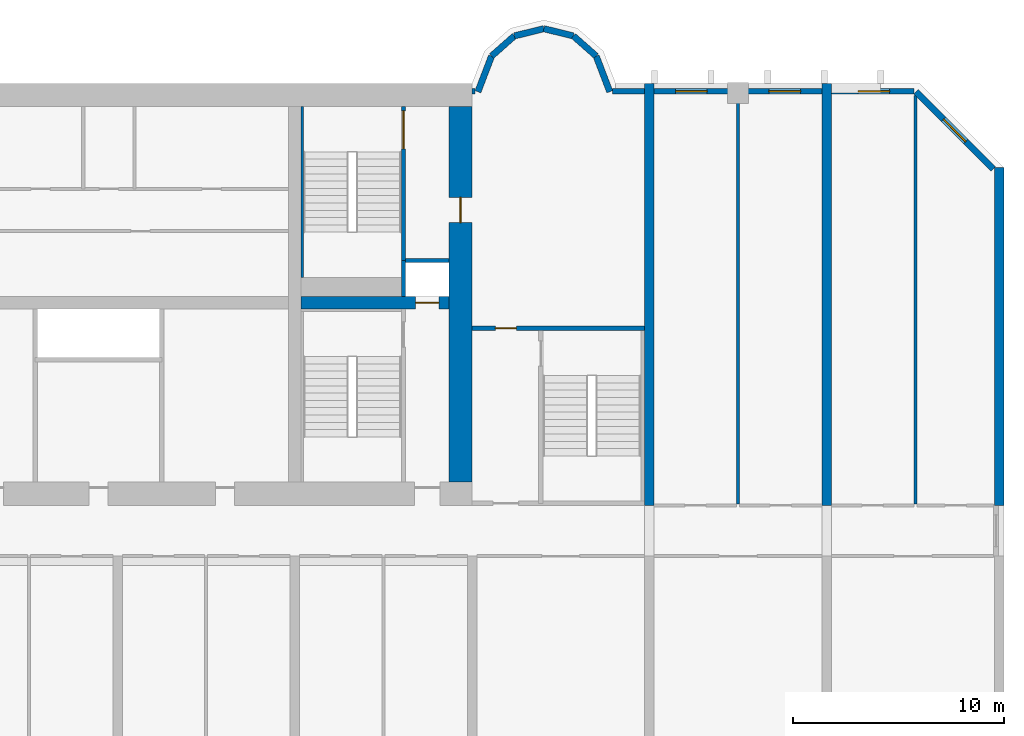
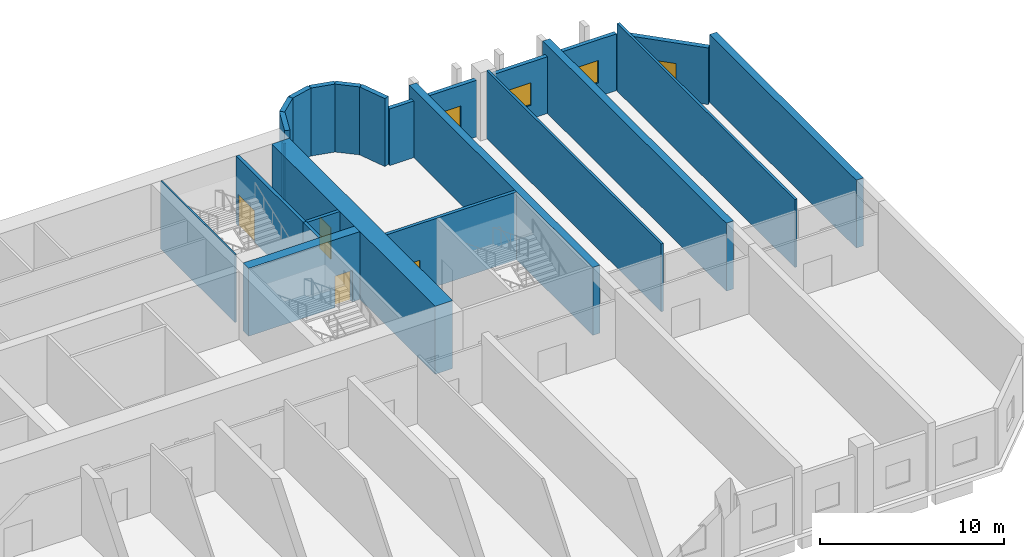
# One storey, part 8 of 10: 24 walls, 4 doors, 4 windows, 8 openings.
"""IFC4 building model written with IfcOpenShell, lengths in metres."""

from ifc_helpers import new_model, si_unit, direction, frame, frame_2d, origin, place, context, subcontext, project, spatial, rectangle, extrude, source, transform, mapped, material, layer, layer_set, type_object, element, fill, save


model = new_model("IFC4")

# Units and contexts
model_context = context("Model", 3, precision=1e-05, world=origin(), true_north=direction((0.0, 1.0)))
body_context = subcontext(model_context, "Body", "Model", "MODEL_VIEW")
ifc_project = project(units=[si_unit("LENGTHUNIT", "METRE"), si_unit("AREAUNIT", "SQUARE_METRE"), si_unit("VOLUMEUNIT", "CUBIC_METRE"), si_unit("PLANEANGLEUNIT", "RADIAN"), si_unit("MASSUNIT", "GRAM", prefix="KILO")], contexts=[model_context])

# Site, building, storey
site_placement = place(None, origin())
site = spatial("IfcSite", under=ifc_project, at=site_placement, CompositionType="ELEMENT")
building_placement = place(site_placement, origin())
building = spatial("IfcBuilding", under=site, at=building_placement, Name="Vanashikhar Sky Hotel", CompositionType="ELEMENT")
storey_placement = place(building_placement, frame((0.0, 0.0, 23.0)))
storey = spatial("IfcBuildingStorey", under=building, at=storey_placement, Name="L04", CompositionType="ELEMENT", Elevation=23.0)

# Wall, opening, door
ifc_material_1 = material(Name="Concrete M80", Category="concrete")
ifc_layer_1 = layer(ifc_material_1, 1.10009765625)
ifc_layer_set_1 = layer_set([ifc_layer_1], Name="RC core shell wall 1100 Concrete M80")
wall_type_1 = type_object("IfcWallType", Name="RC core shell wall 1100 Concrete M80", PredefinedType="SHEAR", material=ifc_layer_set_1)
shared_shape_1 = source(origin(), body_context, "Body", "SweptSolid", [
    extrude(rectangle(XDim=17.7998046875, YDim=1.10009765625, at=frame_2d((8.89990234375, 0.0))), origin(), (0.0, 0.0, 1.0), 4.52001953125),
])
wall_1_placement = place(storey_placement, frame((75.050048828125, 23.10009765625, 0.0), z_axis=(0.0, 0.0, 1.0), x_axis=(0.0, 1.0, 0.0)))
wall_1 = element("IfcWall", 1, at=wall_1_placement, inside=storey, type_object=wall_type_1, Name="KW-L04-KE", PredefinedType="SHEAR", context=body_context, shape_type="MappedRepresentation", body=[
    mapped(shared_shape_1, transform((0.0, 0.0, 0.0), scale=1.0)),
])
shared_shape_2 = source(origin(), body_context, "Body", "SweptSolid", [
    extrude(rectangle(XDim=1.199951171875, YDim=2.10009765625, at=frame_2d((0.60009765625, 1.050048828125))), frame((0.0, 0.56005859375, 0.0), z_axis=(0.0, -1.0, 0.0), x_axis=(1.0, 0.0, 0.0)), (0.0, 0.0, 1.0), 1.1201171875),
])
opening_1_placement = place(wall_1_placement, frame((12.300048828125, 0.0, 0.0)))
opening_1 = element("IfcOpeningElement", 2, at=opening_1_placement, cuts=wall_1, Name="Opening DC-4-D", PredefinedType="OPENING", context=body_context, shape_type="MappedRepresentation", body=[
    mapped(shared_shape_2, transform((0.0, 0.0, 0.0), scale=1.0)),
])
ifc_material_2 = material(Name="Steel", Category="steel")
door_type_1 = type_object("IfcDoorType", Name="Service door 1200 FD120", OperationType="NOTDEFINED", PredefinedType="DOOR", material=ifc_material_2)
shared_shape_3 = source(origin(), body_context, "Body", "SweptSolid", [
    extrude(rectangle(XDim=1.199951171875, YDim=2.10009765625, at=frame_2d((0.60009765625, 1.050048828125))), frame((0.0, 0.02490234375, 0.0), z_axis=(0.0, -1.0, 0.0), x_axis=(1.0, 0.0, 0.0)), (0.0, 0.0, 1.0), 0.050048828125),
])
door_1_placement = place(opening_1_placement, origin())
door_1 = element("IfcDoor", 3, at=door_1_placement, inside=storey, type_object=door_type_1, Name="Service door 1200 FD120", OperationType="SINGLE_SWING_RIGHT", OverallHeight=2.10009765625, OverallWidth=1.199951171875, PredefinedType="DOOR", context=body_context, shape_type="MappedRepresentation", body=[
    mapped(shared_shape_3, transform((0.0, 0.0, 0.0), scale=1.0)),
])
fill(opening_1, door_1)

ifc_layer_2 = layer(ifc_material_1, 0.60009765625)
ifc_layer_set_2 = layer_set([ifc_layer_2], Name="RC core inner wall 600 Concrete M80")
wall_type_2 = type_object("IfcWallType", Name="RC core inner wall 600 Concrete M80", PredefinedType="SHEAR", material=ifc_layer_set_2)
shared_shape_4 = source(origin(), body_context, "Body", "SweptSolid", [
    extrude(rectangle(XDim=7.0, YDim=0.60009765625, at=frame_2d((3.5, 0.0))), origin(), (0.0, 0.0, 1.0), 4.52001953125),
])
wall_2_placement = place(storey_placement, frame((67.5, 31.60009765625, 0.0), z_axis=(0.0, 0.0, 1.0), x_axis=(1.0, 0.0, 0.0)))
wall_2 = element("IfcWall", 4, at=wall_2_placement, inside=storey, type_object=wall_type_2, Name="KW-L04-KY4", PredefinedType="SHEAR", context=body_context, shape_type="MappedRepresentation", body=[
    mapped(shared_shape_4, transform((0.0, 0.0, 0.0), scale=1.0)),
])
shared_shape_5 = source(origin(), body_context, "Body", "SweptSolid", [
    extrude(rectangle(XDim=1.10009765625, YDim=2.10009765625, at=frame_2d((0.550048828125, 1.050048828125))), frame((0.0, 0.31005859375, 0.0), z_axis=(0.0, -1.0, 0.0), x_axis=(1.0, 0.0, 0.0)), (0.0, 0.0, 1.0), 0.6201171875),
])
opening_2_placement = place(wall_2_placement, frame((5.425048828125, 0.0, 0.0)))
opening_2 = element("IfcOpeningElement", 5, at=opening_2_placement, cuts=wall_2, Name="Opening LD", PredefinedType="OPENING", context=body_context, shape_type="MappedRepresentation", body=[
    mapped(shared_shape_5, transform((0.0, 0.0, 0.0), scale=1.0)),
])
ifc_material_3 = material(Name="Stainless steel", Category="steel")
door_type_2 = type_object("IfcDoorType", Name="Lift landing door 1100", OperationType="NOTDEFINED", PredefinedType="DOOR", material=ifc_material_3)
shared_shape_6 = source(origin(), body_context, "Body", "SweptSolid", [
    extrude(rectangle(XDim=1.10009765625, YDim=2.10009765625, at=frame_2d((0.550048828125, 1.050048828125))), frame((0.0, 0.02490234375, 0.0), z_axis=(0.0, -1.0, 0.0), x_axis=(1.0, 0.0, 0.0)), (0.0, 0.0, 1.0), 0.050048828125),
])
door_2_placement = place(opening_2_placement, origin())
door_2 = element("IfcDoor", 6, at=door_2_placement, inside=storey, type_object=door_type_2, Name="Lift landing door 1100", OperationType="SLIDING_TO_RIGHT", OverallHeight=2.10009765625, OverallWidth=1.10009765625, PredefinedType="DOOR", context=body_context, shape_type="MappedRepresentation", body=[
    mapped(shared_shape_6, transform((0.0, 0.0, 0.0), scale=1.0)),
])
fill(opening_2, door_2)

# Walls
ifc_layer_3 = layer(ifc_material_1, 0.449951171875)
ifc_layer_set_3 = layer_set([ifc_layer_3], Name="RC shear wall 450 Concrete M80")
wall_type_3 = type_object("IfcWallType", Name="RC shear wall 450 Concrete M80", PredefinedType="SHEAR", material=ifc_layer_set_3)
shared_shape_7 = source(origin(), body_context, "Body", "SweptSolid", [
    extrude(rectangle(XDim=16.0, YDim=0.449951171875, at=frame_2d((8.0, 0.0))), origin(), (0.0, 0.0, 1.0), 4.52001953125),
])
wall_3_placement = place(storey_placement, frame((100.574951171875, 22.0, 0.0), z_axis=(0.0, 0.0, 1.0), x_axis=(0.0, 1.0, 0.0)))
element("IfcWall", 7, at=wall_3_placement, inside=storey, type_object=wall_type_3, Name="CW-L04-XW13-2", PredefinedType="SHEAR", context=body_context, shape_type="MappedRepresentation", body=[
    mapped(shared_shape_7, transform((0.0, 0.0, 0.0), scale=1.0)),
])
shared_shape_8 = source(origin(), body_context, "Body", "SweptSolid", [
    extrude(rectangle(XDim=20.0, YDim=0.449951171875, at=frame_2d((10.0, 0.0))), origin(), (0.0, 0.0, 1.0), 4.52001953125),
])
for number, where, z_axis, x_axis, name in (
    (8, (84.0, 22.0, 0.0), (0.0, 0.0, 1.0), (0.0, 1.0, 0.0), "CW-L04-XW11-2"),
    (9, (92.39990234375, 22.0, 0.0), (0.0, 0.0, 1.0), (0.0, 1.0, 0.0), "CW-L04-XW12-2"),
):
    element("IfcWall", number, at=place(storey_placement, frame(where, z_axis=z_axis, x_axis=x_axis)), inside=storey, type_object=wall_type_3, Name=name, PredefinedType="SHEAR", context=body_context, shape_type="MappedRepresentation", body=[
        mapped(shared_shape_8, transform((0.0, 0.0, 0.0), scale=1.0)),
    ])

# Wall, opening, window
ifc_material_4 = material(Name="Concrete M50", Category="concrete")
ifc_layer_4 = layer(ifc_material_4, 0.25)
ifc_layer_set_4 = layer_set([ifc_layer_4], Name="Rear and end board-marked wall 250")
wall_type_4 = type_object("IfcWallType", Name="Rear and end board-marked wall 250", PredefinedType="SOLIDWALL", material=ifc_layer_set_4)
shared_shape_9 = source(origin(), body_context, "Body", "SweptSolid", [
    extrude(rectangle(XDim=3.52490234375, YDim=0.25, at=frame_2d((1.762451171875, 0.0))), origin(), (0.0, 0.0, 1.0), 3.77001953125),
])
wall_4_placement = place(storey_placement, frame((87.75, 41.625, 0.0), z_axis=(0.0, 0.0, 1.0), x_axis=(-1.0, 0.0, 0.0)))
wall_4 = element("IfcWall", 10, at=wall_4_placement, inside=storey, type_object=wall_type_4, Name="Podium external wall", PredefinedType="SOLIDWALL", context=body_context, shape_type="MappedRepresentation", body=[
    mapped(shared_shape_9, transform((0.0, 0.0, 0.0), scale=1.0)),
])
shared_shape_10 = source(origin(), body_context, "Body", "SweptSolid", [
    extrude(rectangle(XDim=1.5, YDim=1.5, at=frame_2d((0.75, 0.75))), frame((0.0, 0.135009765625, 0.0), z_axis=(0.0, -1.0, 0.0), x_axis=(1.0, 0.0, 0.0)), (0.0, 0.0, 1.0), 0.27001953125),
])
opening_3_placement = place(wall_4_placement, frame((1.012451171875, 0.0, 0.89990234375)))
opening_3 = element("IfcOpeningElement", 11, at=opening_3_placement, cuts=wall_4, Name="Opening WN-1", PredefinedType="OPENING", context=body_context, shape_type="MappedRepresentation", body=[
    mapped(shared_shape_10, transform((0.0, 0.0, 0.0), scale=1.0)),
])
ifc_material_5 = material(Name="Glass", Category="glass")
window_type = type_object("IfcWindowType", Name="Window 1500 x 1500", PartitioningType="SINGLE_PANEL", PredefinedType="WINDOW", material=ifc_material_5)
shared_shape_11 = source(origin(), body_context, "Body", "SweptSolid", [
    extrude(rectangle(XDim=1.5, YDim=1.5, at=frame_2d((0.75, 0.75))), frame((0.0, 0.030029296875, 0.0), z_axis=(0.0, -1.0, 0.0), x_axis=(1.0, 0.0, 0.0)), (0.0, 0.0, 1.0), 0.06005859375),
])
window_1_placement = place(opening_3_placement, origin())
window_1 = element("IfcWindow", 12, at=window_1_placement, inside=storey, type_object=window_type, Name="Window WN-1", OverallHeight=1.5, OverallWidth=1.5, PartitioningType="SINGLE_PANEL", PredefinedType="WINDOW", context=body_context, shape_type="MappedRepresentation", body=[
    mapped(shared_shape_11, transform((0.0, 0.0, 0.0), scale=1.0)),
])
fill(opening_3, window_1)

shared_shape_12 = source(origin(), body_context, "Body", "SweptSolid", [
    extrude(rectangle(XDim=3.525146484375, YDim=0.25, at=frame_2d((1.7626953125, 0.0))), origin(), (0.0, 0.0, 1.0), 3.77001953125),
])
wall_5_placement = place(storey_placement, frame((92.175048828125, 41.625, 0.0), z_axis=(0.0, 0.0, 1.0), x_axis=(-1.0, 0.0, 0.0)))
wall_5 = element("IfcWall", 13, at=wall_5_placement, inside=storey, type_object=wall_type_4, Name="Podium external wall", PredefinedType="SOLIDWALL", context=body_context, shape_type="MappedRepresentation", body=[
    mapped(shared_shape_12, transform((0.0, 0.0, 0.0), scale=1.0)),
])
opening_4_placement = place(wall_5_placement, frame((1.012451171875, 0.0, 0.89990234375)))
opening_4 = element("IfcOpeningElement", 14, at=opening_4_placement, cuts=wall_5, Name="Opening WN-1", PredefinedType="OPENING", context=body_context, shape_type="MappedRepresentation", body=[
    mapped(shared_shape_10, transform((0.0, 0.0, 0.0), scale=1.0)),
])
window_2_placement = place(opening_4_placement, origin())
window_2 = element("IfcWindow", 15, at=window_2_placement, inside=storey, type_object=window_type, Name="Window WN-1", OverallHeight=1.5, OverallWidth=1.5, PartitioningType="SINGLE_PANEL", PredefinedType="WINDOW", context=body_context, shape_type="MappedRepresentation", body=[
    mapped(shared_shape_11, transform((0.0, 0.0, 0.0), scale=1.0)),
])
fill(opening_4, window_2)

shared_shape_13 = source(origin(), body_context, "Body", "SweptSolid", [
    extrude(rectangle(XDim=3.899658203125, YDim=0.25, at=frame_2d((1.94970703125, 0.0))), origin(), (0.0, 0.0, 1.0), 3.77001953125),
])
wall_6_placement = place(storey_placement, frame((96.524658203125, 41.625, 0.0), z_axis=(0.0, 0.0, 1.0), x_axis=(-1.0, 0.0, 0.0)))
wall_6 = element("IfcWall", 16, at=wall_6_placement, inside=storey, type_object=wall_type_4, Name="Podium external wall", PredefinedType="SOLIDWALL", context=body_context, shape_type="MappedRepresentation", body=[
    mapped(shared_shape_13, transform((0.0, 0.0, 0.0), scale=1.0)),
])
opening_5_placement = place(wall_6_placement, frame((1.139892578125, 0.0, 0.89990234375)))
opening_5 = element("IfcOpeningElement", 17, at=opening_5_placement, cuts=wall_6, Name="Opening WN-1", PredefinedType="OPENING", context=body_context, shape_type="MappedRepresentation", body=[
    mapped(shared_shape_10, transform((0.0, 0.0, 0.0), scale=1.0)),
])
window_3_placement = place(opening_5_placement, origin())
window_3 = element("IfcWindow", 18, at=window_3_placement, inside=storey, type_object=window_type, Name="Window WN-1", OverallHeight=1.5, OverallWidth=1.5, PartitioningType="SINGLE_PANEL", PredefinedType="WINDOW", context=body_context, shape_type="MappedRepresentation", body=[
    mapped(shared_shape_11, transform((0.0, 0.0, 0.0), scale=1.0)),
])
fill(opening_5, window_3)

ifc_layer_5 = layer(ifc_material_4, 0.300048828125)
ifc_layer_set_5 = layer_set([ifc_layer_5], Name="Lobe wall 300")
wall_type_5 = type_object("IfcWallType", Name="Lobe wall 300", PredefinedType="SOLIDWALL", material=ifc_layer_set_5)
shared_shape_14 = source(origin(), body_context, "Body", "SweptSolid", [
    extrude(rectangle(XDim=5.173095703125, YDim=0.300048828125, at=frame_2d((2.58642578125, 0.0))), origin(), (0.0, 0.0, 1.0), 3.77001953125),
])
wall_7_placement = place(storey_placement, frame((100.292236328125, 37.942138671875, 0.0), z_axis=(0.0, 0.0, 1.0), x_axis=(-0.707106781187, 0.707106781187, 0.0)))
wall_7 = element("IfcWall", 19, at=wall_7_placement, inside=storey, type_object=wall_type_5, Name="Corner wall", PredefinedType="SOLIDWALL", context=body_context, shape_type="MappedRepresentation", body=[
    mapped(shared_shape_14, transform((0.0, 0.0, 0.0), scale=1.0)),
])
shared_shape_15 = source(origin(), body_context, "Body", "SweptSolid", [
    extrude(rectangle(XDim=1.5, YDim=1.5, at=frame_2d((0.75, 0.75))), frame((0.0, 0.16015625, 0.0), z_axis=(0.0, -1.0, 0.0), x_axis=(1.0, 0.0, 0.0)), (0.0, 0.0, 1.0), 0.320068359375),
])
opening_6_placement = place(wall_7_placement, frame((1.83642578125, 0.0, 0.89990234375)))
opening_6 = element("IfcOpeningElement", 20, at=opening_6_placement, cuts=wall_7, Name="Opening WN-1", PredefinedType="OPENING", context=body_context, shape_type="MappedRepresentation", body=[
    mapped(shared_shape_15, transform((0.0, 0.0, 0.0), scale=1.0)),
])
window_4_placement = place(opening_6_placement, origin())
window_4 = element("IfcWindow", 21, at=window_4_placement, inside=storey, type_object=window_type, Name="Window WN-1", OverallHeight=1.5, OverallWidth=1.5, PartitioningType="SINGLE_PANEL", PredefinedType="WINDOW", context=body_context, shape_type="MappedRepresentation", body=[
    mapped(shared_shape_11, transform((0.0, 0.0, 0.0), scale=1.0)),
])
fill(opening_6, window_4)

# Walls
shared_shape_16 = source(origin(), body_context, "Body", "SweptSolid", [
    extrude(rectangle(XDim=1.5126953125, YDim=0.25, at=frame_2d((0.75634765625, 0.0))), origin(), (0.0, 0.0, 1.0), 3.77001953125),
])
wall_8_placement = place(storey_placement, frame((83.77490234375, 41.625, 0.0), z_axis=(0.0, 0.0, 1.0), x_axis=(-1.0, 0.0, 0.0)))
element("IfcWall", 22, at=wall_8_placement, inside=storey, type_object=wall_type_4, Name="Podium external wall", PredefinedType="SOLIDWALL", context=body_context, shape_type="MappedRepresentation", body=[
    mapped(shared_shape_16, transform((0.0, 0.0, 0.0), scale=1.0)),
])
shared_shape_17 = source(origin(), body_context, "Body", "SweptSolid", [
    extrude(rectangle(XDim=1.81201171875, YDim=0.300048828125, at=frame_2d((0.906005859375, 0.0))), origin(), (0.0, 0.0, 1.0), 4.52001953125),
])
for number, where, z_axis, x_axis, name in (
    (23, (82.125, 41.60009765625, 0.0), (0.0, 0.0, 1.0), (-0.357877270961, 0.93376863244, 0.0), "Lobe wall"),
    (24, (76.5234375, 43.2919921875, 0.0), (0.0, 0.0, 1.0), (-0.357877270961, -0.93376863244, 0.0), "Lobe wall"),
):
    element("IfcWall", number, at=place(storey_placement, frame(where, z_axis=z_axis, x_axis=x_axis)), inside=storey, type_object=wall_type_5, Name=name, PredefinedType="SOLIDWALL", context=body_context, shape_type="MappedRepresentation", body=[
        mapped(shared_shape_17, transform((0.0, 0.0, 0.0), scale=1.0)),
    ])
shared_shape_18 = source(origin(), body_context, "Body", "SweptSolid", [
    extrude(rectangle(XDim=1.43994140625, YDim=0.300048828125, at=frame_2d((0.719970703125, 0.0))), origin(), (0.0, 0.0, 1.0), 4.52001953125),
])
for number, where, z_axis, x_axis, name in (
    (25, (81.4765625, 43.2919921875, 0.0), (0.0, 0.0, 1.0), (-0.74957555648, 0.661918790432, 0.0), "Lobe wall"),
    (26, (77.602783203125, 44.2451171875, 0.0), (0.0, 0.0, 1.0), (-0.74957555648, -0.661918790432, 0.0), "Lobe wall"),
):
    element("IfcWall", number, at=place(storey_placement, frame(where, z_axis=z_axis, x_axis=x_axis)), inside=storey, type_object=wall_type_5, Name=name, PredefinedType="SOLIDWALL", context=body_context, shape_type="MappedRepresentation", body=[
        mapped(shared_shape_18, transform((0.0, 0.0, 0.0), scale=1.0)),
    ])
shared_shape_19 = source(origin(), body_context, "Body", "SweptSolid", [
    extrude(rectangle(XDim=1.438720703125, YDim=0.300048828125, at=frame_2d((0.71923828125, 0.0))), origin(), (0.0, 0.0, 1.0), 4.52001953125),
])
for number, where, z_axis, x_axis, name in (
    (27, (80.397216796875, 44.2451171875, 0.0), (0.0, 0.0, 1.0), (-0.971161932466, 0.238420848351, 0.0), "Lobe wall"),
    (28, (79.0, 44.588134765625, 0.0), (0.0, 0.0, 1.0), (-0.971161932466, -0.238420848351, 0.0), "Lobe wall"),
):
    element("IfcWall", number, at=place(storey_placement, frame(where, z_axis=z_axis, x_axis=x_axis)), inside=storey, type_object=wall_type_5, Name=name, PredefinedType="SOLIDWALL", context=body_context, shape_type="MappedRepresentation", body=[
        mapped(shared_shape_19, transform((0.0, 0.0, 0.0), scale=1.0)),
    ])
shared_shape_20 = source(origin(), body_context, "Body", "SweptSolid", [
    extrude(rectangle(XDim=0.1376953125, YDim=0.25, at=frame_2d((0.06884765625, 0.0))), origin(), (0.0, 0.0, 1.0), 3.77001953125),
])
wall_9_placement = place(storey_placement, frame((75.73779296875, 41.625, 0.0), z_axis=(0.0, 0.0, 1.0), x_axis=(-1.0, 0.0, 0.0)))
element("IfcWall", 29, at=wall_9_placement, inside=storey, type_object=wall_type_4, Name="Podium external wall", PredefinedType="SOLIDWALL", context=body_context, shape_type="MappedRepresentation", body=[
    mapped(shared_shape_20, transform((0.0, 0.0, 0.0), scale=1.0)),
])

# Wall, opening, door
ifc_layer_6 = layer(ifc_material_4, 0.199951171875)
ifc_layer_set_6 = layer_set([ifc_layer_6], Name="Stair wall 200")
wall_type_6 = type_object("IfcWallType", Name="Stair wall 200", PredefinedType="SOLIDWALL", material=ifc_layer_set_6)
shared_shape_21 = source(origin(), body_context, "Body", "SweptSolid", [
    extrude(rectangle(XDim=7.2998046875, YDim=0.199951171875, at=frame_2d((3.64990234375, 0.0))), origin(), (0.0, 0.0, 1.0), 4.52001953125),
])
wall_10_placement = place(storey_placement, frame((72.35009765625, 33.60009765625, 0.0), z_axis=(0.0, 0.0, 1.0), x_axis=(0.0, 1.0, 0.0)))
wall_10 = element("IfcWall", 30, at=wall_10_placement, inside=storey, type_object=wall_type_6, Name="Stair wall 200", PredefinedType="SOLIDWALL", context=body_context, shape_type="MappedRepresentation", body=[
    mapped(shared_shape_21, transform((0.0, 0.0, 0.0), scale=1.0)),
])
shared_shape_22 = source(origin(), body_context, "Body", "SweptSolid", [
    extrude(rectangle(XDim=1.800048828125, YDim=2.10009765625, at=frame_2d((0.89990234375, 1.050048828125))), frame((0.0, 0.10986328125, 0.0), z_axis=(0.0, -1.0, 0.0), x_axis=(1.0, 0.0, 0.0)), (0.0, 0.0, 1.0), 0.219970703125),
])
opening_7_placement = place(wall_10_placement, frame((5.300048828125, 0.0, 0.0)))
opening_7 = element("IfcOpeningElement", 31, at=opening_7_placement, cuts=wall_10, Name="Opening DC-1-A", PredefinedType="OPENING", context=body_context, shape_type="MappedRepresentation", body=[
    mapped(shared_shape_22, transform((0.0, 0.0, 0.0), scale=1.0)),
])
door_type_3 = type_object("IfcDoorType", Name="Stair door 1800 FD120", OperationType="NOTDEFINED", PredefinedType="DOOR", material=ifc_material_2)
shared_shape_23 = source(origin(), body_context, "Body", "SweptSolid", [
    extrude(rectangle(XDim=1.800048828125, YDim=2.10009765625, at=frame_2d((0.89990234375, 1.050048828125))), frame((0.0, 0.02490234375, 0.0), z_axis=(0.0, -1.0, 0.0), x_axis=(1.0, 0.0, 0.0)), (0.0, 0.0, 1.0), 0.050048828125),
])
door_3_placement = place(opening_7_placement, origin())
door_3 = element("IfcDoor", 32, at=door_3_placement, inside=storey, type_object=door_type_3, Name="Stair door 1800 FD120", OperationType="SINGLE_SWING_LEFT", OverallHeight=2.10009765625, OverallWidth=1.800048828125, PredefinedType="DOOR", context=body_context, shape_type="MappedRepresentation", body=[
    mapped(shared_shape_23, transform((0.0, 0.0, 0.0), scale=1.0)),
])
fill(opening_7, door_3)

shared_shape_24 = source(origin(), body_context, "Body", "SweptSolid", [
    extrude(rectangle(XDim=8.1748046875, YDim=0.199951171875, at=frame_2d((4.08740234375, 0.0))), origin(), (0.0, 0.0, 1.0), 4.52001953125),
])
wall_11_placement = place(storey_placement, frame((83.77490234375, 30.39990234375, 0.0), z_axis=(0.0, 0.0, 1.0), x_axis=(-1.0, 0.0, 0.0)))
wall_11 = element("IfcWall", 33, at=wall_11_placement, inside=storey, type_object=wall_type_6, Name="Stair wall 200", PredefinedType="SOLIDWALL", context=body_context, shape_type="MappedRepresentation", body=[
    mapped(shared_shape_24, transform((0.0, 0.0, 0.0), scale=1.0)),
])
shared_shape_25 = source(origin(), body_context, "Body", "SweptSolid", [
    extrude(rectangle(XDim=1.0, YDim=2.10009765625, at=frame_2d((0.5, 1.050048828125))), frame((0.0, 0.10986328125, 0.0), z_axis=(0.0, -1.0, 0.0), x_axis=(1.0, 0.0, 0.0)), (0.0, 0.0, 1.0), 0.219970703125),
])
opening_8_placement = place(wall_11_placement, frame((6.074951171875, 0.0, 0.0)))
opening_8 = element("IfcOpeningElement", 34, at=opening_8_placement, cuts=wall_11, Name="Opening DC-6", PredefinedType="OPENING", context=body_context, shape_type="MappedRepresentation", body=[
    mapped(shared_shape_25, transform((0.0, 0.0, 0.0), scale=1.0)),
])
door_type_4 = type_object("IfcDoorType", Name="Pocket door 1000 FD60", OperationType="NOTDEFINED", PredefinedType="DOOR", material=ifc_material_2)
shared_shape_26 = source(origin(), body_context, "Body", "SweptSolid", [
    extrude(rectangle(XDim=1.0, YDim=2.10009765625, at=frame_2d((0.5, 1.050048828125))), frame((0.0, 0.02490234375, 0.0), z_axis=(0.0, -1.0, 0.0), x_axis=(1.0, 0.0, 0.0)), (0.0, 0.0, 1.0), 0.050048828125),
])
door_4_placement = place(opening_8_placement, origin())
door_4 = element("IfcDoor", 35, at=door_4_placement, inside=storey, type_object=door_type_4, Name="Pocket door 1000 FD60", OperationType="SINGLE_SWING_RIGHT", OverallHeight=2.10009765625, OverallWidth=1.0, PredefinedType="DOOR", context=body_context, shape_type="MappedRepresentation", body=[
    mapped(shared_shape_26, transform((0.0, 0.0, 0.0), scale=1.0)),
])
fill(opening_8, door_4)

# Walls
ifc_layer_7 = layer(ifc_material_4, 0.10009765625)
ifc_layer_set_7 = layer_set([ifc_layer_7], Name="Stair infill wall 100")
wall_type_7 = type_object("IfcWallType", Name="Stair infill wall 100", PredefinedType="SOLIDWALL", material=ifc_layer_set_7)
shared_shape_27 = source(origin(), body_context, "Body", "SweptSolid", [
    extrude(rectangle(XDim=8.099853515625, YDim=0.10009765625, at=frame_2d((4.0498046875, 0.0))), origin(), (0.0, 0.0, 1.0), 4.52001953125),
])
wall_12_placement = place(storey_placement, frame((67.550048828125, 32.800048828125, 0.0), z_axis=(0.0, 0.0, 1.0), x_axis=(0.0, 1.0, 0.0)))
element("IfcWall", 36, at=wall_12_placement, inside=storey, type_object=wall_type_7, Name="Stair infill wall 100", PredefinedType="SOLIDWALL", context=body_context, shape_type="MappedRepresentation", body=[
    mapped(shared_shape_27, transform((0.0, 0.0, 0.0), scale=1.0)),
])
ifc_material_6 = material(Name="Concrete M40", Category="concrete")
ifc_layer_8 = layer(ifc_material_6, 0.199951171875)
ifc_layer_set_8 = layer_set([ifc_layer_8], Name="Shaft wall 200")
wall_type_8 = type_object("IfcWallType", Name="Shaft wall 200", PredefinedType="SOLIDWALL", material=ifc_layer_set_8)
shared_shape_28 = source(origin(), body_context, "Body", "SweptSolid", [
    extrude(rectangle(XDim=1.7001953125, YDim=0.199951171875, at=frame_2d((0.85009765625, 0.0))), origin(), (0.0, 0.0, 1.0), 4.52001953125),
])
wall_13_placement = place(storey_placement, frame((72.35009765625, 31.89990234375, 0.0), z_axis=(0.0, 0.0, 1.0), x_axis=(0.0, 1.0, 0.0)))
element("IfcWall", 37, at=wall_13_placement, inside=storey, type_object=wall_type_8, Name="Shaft wall 200", PredefinedType="SOLIDWALL", context=body_context, shape_type="MappedRepresentation", body=[
    mapped(shared_shape_28, transform((0.0, 0.0, 0.0), scale=1.0)),
])
shared_shape_29 = source(origin(), body_context, "Body", "SweptSolid", [
    extrude(rectangle(XDim=2.050048828125, YDim=0.199951171875, at=frame_2d((1.02490234375, 0.0))), origin(), (0.0, 0.0, 1.0), 4.52001953125),
])
wall_14_placement = place(storey_placement, frame((72.449951171875, 33.60009765625, 0.0), z_axis=(0.0, 0.0, 1.0), x_axis=(1.0, 0.0, 0.0)))
element("IfcWall", 38, at=wall_14_placement, inside=storey, type_object=wall_type_8, Name="Shaft wall 200", PredefinedType="SOLIDWALL", context=body_context, shape_type="MappedRepresentation", body=[
    mapped(shared_shape_29, transform((0.0, 0.0, 0.0), scale=1.0)),
])
ifc_material_7 = material(Name="Gypsum plasterboard partition")
ifc_layer_9 = layer(ifc_material_7, 0.14990234375)
ifc_layer_set_9 = layer_set([ifc_layer_9], Name="Corridor and demising partition 150")
wall_type_9 = type_object("IfcWallType", Name="Corridor and demising partition 150", PredefinedType="PARTITIONING", material=ifc_layer_set_9)
shared_shape_30 = source(origin(), body_context, "Body", "SweptSolid", [
    extrude(rectangle(XDim=19.025146484375, YDim=0.14990234375, at=frame_2d((9.5126953125, 0.0))), origin(), (0.0, 0.0, 1.0), 4.52001953125),
])
wall_15_placement = place(storey_placement, frame((88.199951171875, 22.074951171875, 0.0), z_axis=(0.0, 0.0, 1.0), x_axis=(0.0, 1.0, 0.0)))
element("IfcWall", 39, at=wall_15_placement, inside=storey, type_object=wall_type_9, Name="W-L04-PW033", PredefinedType="PARTITIONING", context=body_context, shape_type="MappedRepresentation", body=[
    mapped(shared_shape_30, transform((0.0, 0.0, 0.0), scale=1.0)),
])
shared_shape_31 = source(origin(), body_context, "Body", "SweptSolid", [
    extrude(rectangle(XDim=19.34716796875, YDim=0.14990234375, at=frame_2d((9.673583984375, 0.0))), origin(), (0.0, 0.0, 1.0), 4.52001953125),
])
wall_16_placement = place(storey_placement, frame((96.60009765625, 22.074951171875, 0.0), z_axis=(0.0, 0.0, 1.0), x_axis=(0.0, 1.0, 0.0)))
element("IfcWall", 40, at=wall_16_placement, inside=storey, type_object=wall_type_9, Name="W-L04-PW036", PredefinedType="PARTITIONING", context=body_context, shape_type="MappedRepresentation", body=[
    mapped(shared_shape_31, transform((0.0, 0.0, 0.0), scale=1.0)),
])

save(model, "model.ifc")
